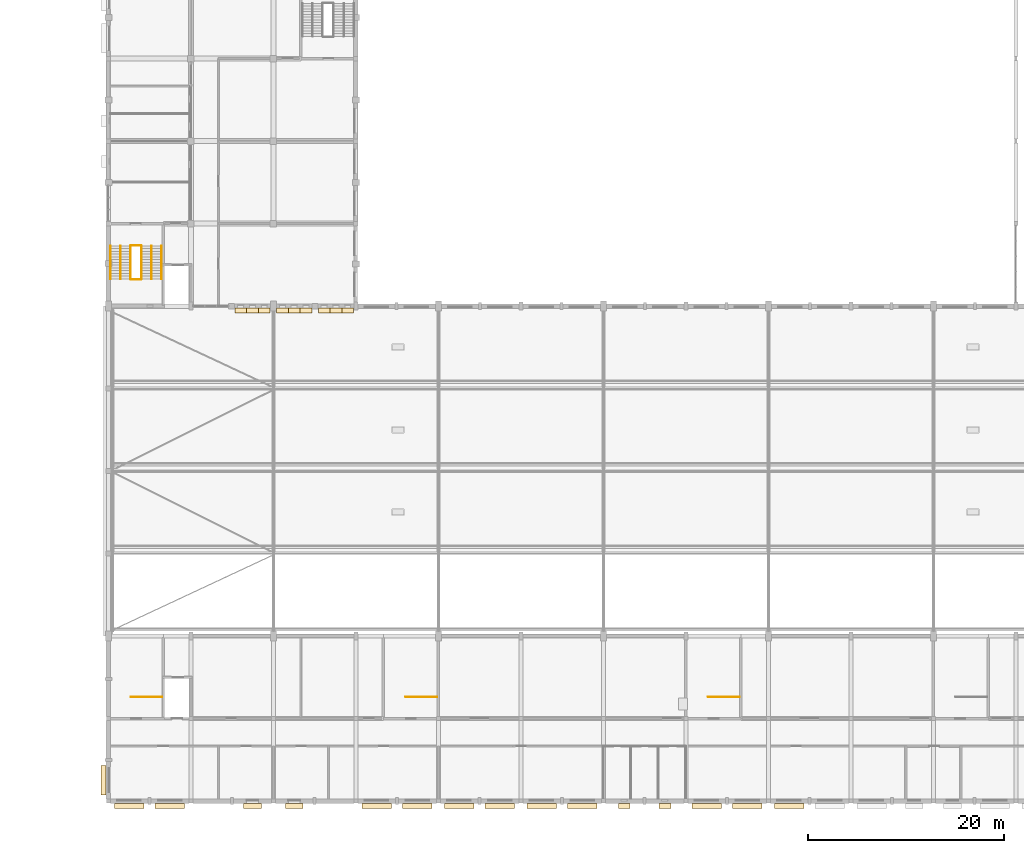
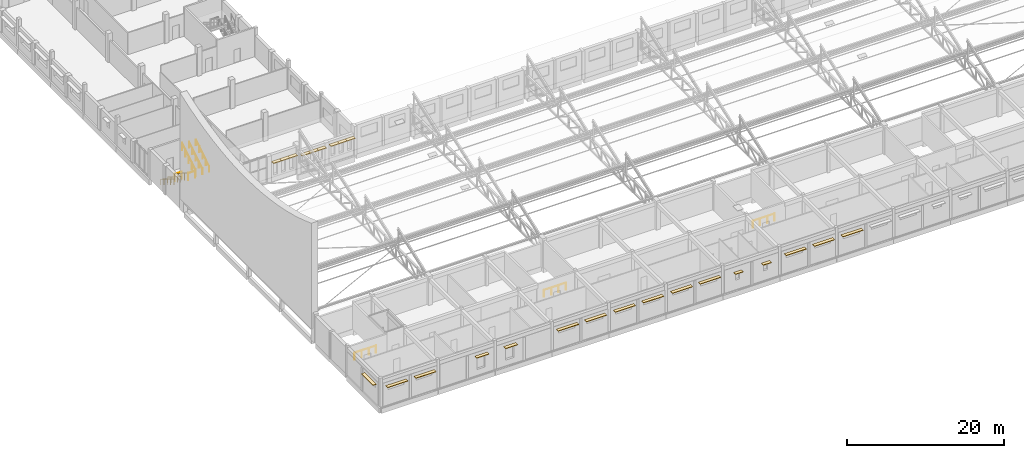
# One storey, part 93 of 101: 25 coverings, 11 railings.
"""IFC4 building model written with IfcOpenShell, lengths in metres."""

from ifc_helpers import new_model, si_unit, direction, frame, origin, origin_2d, place, context, subcontext, project, spatial, rectangle, circle, extrude, material, layer, layer_set, type_object, element, save


model = new_model("IFC4")

# Units and contexts
model_context = context("Model", 3, precision=1e-05, world=origin(), true_north=direction((0.0, 1.0)))
body_context = subcontext(model_context, "Body", "Model", "MODEL_VIEW")
ifc_project = project(units=[si_unit("LENGTHUNIT", "METRE"), si_unit("AREAUNIT", "SQUARE_METRE"), si_unit("VOLUMEUNIT", "CUBIC_METRE"), si_unit("PLANEANGLEUNIT", "RADIAN"), si_unit("MASSUNIT", "GRAM", prefix="KILO")], contexts=[model_context])

# Site, building, storey
site_placement = place(None, origin())
site = spatial("IfcSite", under=ifc_project, at=site_placement, CompositionType="ELEMENT")
building_placement = place(site_placement, origin())
building = spatial("IfcBuilding", under=site, at=building_placement, Name="Fescue Hill Polytechnic", CompositionType="ELEMENT")
storey_placement = place(building_placement, frame((0.0, 0.0, 9.0)))
storey = spatial("IfcBuildingStorey", under=building, at=storey_placement, Name="L02", CompositionType="ELEMENT", Elevation=9.0)

# Coverings
ifc_material_1 = material(Name="Precast concrete C40/50", Category="concrete")
ifc_layer = layer(ifc_material_1, 0.080078125)
ifc_layer_set = layer_set([ifc_layer], Name="Precast concrete C40/50")
covering_type = type_object("IfcCoveringType", Name="Shade blade precast 500x80", PredefinedType="CLADDING", material=ifc_layer_set)
for number, where, z_axis, x_axis, name in (
    (1, (-0.489990234375, 2.125, 3.050048828125), (0.0, 0.0, 1.0), (0.0, -1.0, 0.0), "SB-L02-V1-1"),
    (2, (2.125, -0.489990234375, 3.050048828125), (0.0, 0.0, 1.0), (1.0, 0.0, 0.0), "SB-L02-V1-2"),
    (3, (6.27490234375, -0.489990234375, 3.050048828125), (0.0, 0.0, 1.0), (1.0, 0.0, 0.0), "SB-L02-V1-3"),
):
    element("IfcCovering", number, at=place(storey_placement, frame(where, z_axis=z_axis, x_axis=x_axis)), inside=storey, type_object=covering_type, Name=name, PredefinedType="CLADDING", context=body_context, shape_type="SweptSolid", body=[
        extrude(rectangle(XDim=3.0, YDim=0.5, at=origin_2d()), origin(), (0.0, 0.0, 1.0), 0.080078125),
    ])
for number, where, z_axis, x_axis, name in (
    (4, (14.675048828125, -0.489990234375, 3.050048828125), (0.0, 0.0, 1.0), (1.0, 0.0, 0.0), "SB-L02-V1-4"),
    (5, (18.925048828125, -0.489990234375, 3.050048828125), (0.0, 0.0, 1.0), (1.0, 0.0, 0.0), "SB-L02-V1-5"),
):
    element("IfcCovering", number, at=place(storey_placement, frame(where, z_axis=z_axis, x_axis=x_axis)), inside=storey, type_object=covering_type, Name=name, PredefinedType="CLADDING", context=body_context, shape_type="SweptSolid", body=[
        extrude(rectangle(XDim=1.800048828125, YDim=0.5, at=origin_2d()), origin(), (0.0, 0.0, 1.0), 0.080078125),
    ])
for number, where, z_axis, x_axis, name in (
    (6, (27.324951171875, -0.489990234375, 3.050048828125), (0.0, 0.0, 1.0), (1.0, 0.0, 0.0), "SB-L02-V1-6"),
    (7, (31.47509765625, -0.489990234375, 3.050048828125), (0.0, 0.0, 1.0), (1.0, 0.0, 0.0), "SB-L02-V1-7"),
    (8, (35.72509765625, -0.489990234375, 3.050048828125), (0.0, 0.0, 1.0), (1.0, 0.0, 0.0), "SB-L02-V1-8"),
    (9, (39.875, -0.489990234375, 3.050048828125), (0.0, 0.0, 1.0), (1.0, 0.0, 0.0), "SB-L02-V1-9"),
    (10, (44.125, -0.489990234375, 3.050048828125), (0.0, 0.0, 1.0), (1.0, 0.0, 0.0), "SB-L02-V1-10"),
    (11, (48.27490234375, -0.489990234375, 3.050048828125), (0.0, 0.0, 1.0), (1.0, 0.0, 0.0), "SB-L02-V1-11"),
):
    element("IfcCovering", number, at=place(storey_placement, frame(where, z_axis=z_axis, x_axis=x_axis)), inside=storey, type_object=covering_type, Name=name, PredefinedType="CLADDING", context=body_context, shape_type="SweptSolid", body=[
        extrude(rectangle(XDim=3.0, YDim=0.5, at=origin_2d()), origin(), (0.0, 0.0, 1.0), 0.080078125),
    ])
for number, where, z_axis, x_axis, name in (
    (12, (52.52490234375, -0.489990234375, 2.75), (0.0, 0.0, 1.0), (1.0, 0.0, 0.0), "SB-L02-V1-12"),
    (13, (56.675048828125, -0.489990234375, 2.75), (0.0, 0.0, 1.0), (1.0, 0.0, 0.0), "SB-L02-V1-13"),
):
    element("IfcCovering", number, at=place(storey_placement, frame(where, z_axis=z_axis, x_axis=x_axis)), inside=storey, type_object=covering_type, Name=name, PredefinedType="CLADDING", context=body_context, shape_type="SweptSolid", body=[
        extrude(rectangle(XDim=1.199951171875, YDim=0.5, at=origin_2d()), origin(), (0.0, 0.0, 1.0), 0.080078125),
    ])
for number, where, z_axis, x_axis, name in (
    (14, (60.925048828125, -0.489990234375, 3.050048828125), (0.0, 0.0, 1.0), (1.0, 0.0, 0.0), "SB-L02-V1-14"),
    (15, (65.074951171875, -0.489990234375, 3.050048828125), (0.0, 0.0, 1.0), (1.0, 0.0, 0.0), "SB-L02-V1-15"),
    (16, (69.324951171875, -0.489990234375, 3.050048828125), (0.0, 0.0, 1.0), (1.0, 0.0, 0.0), "SB-L02-V1-16"),
):
    element("IfcCovering", number, at=place(storey_placement, frame(where, z_axis=z_axis, x_axis=x_axis)), inside=storey, type_object=covering_type, Name=name, PredefinedType="CLADDING", context=body_context, shape_type="SweptSolid", body=[
        extrude(rectangle(XDim=3.0, YDim=0.5, at=origin_2d()), origin(), (0.0, 0.0, 1.0), 0.080078125),
    ])
for number, where, z_axis, x_axis, name in (
    (17, (13.47509765625, 49.93994140625, 3.14990234375), (0.0, 0.0, 1.0), (1.0, 0.0, 0.0), "SB-L02-V4-8"),
    (18, (14.675048828125, 49.93994140625, 3.14990234375), (0.0, 0.0, 1.0), (1.0, 0.0, 0.0), "SB-L02-V4-9"),
    (19, (15.875, 49.93994140625, 3.14990234375), (0.0, 0.0, 1.0), (1.0, 0.0, 0.0), "SB-L02-V4-10"),
    (20, (17.72509765625, 49.93994140625, 2.849853515625), (0.0, 0.0, 1.0), (1.0, 0.0, 0.0), "SB-L02-V4-11"),
    (21, (18.925048828125, 49.93994140625, 2.849853515625), (0.0, 0.0, 1.0), (1.0, 0.0, 0.0), "SB-L02-V4-12"),
    (22, (20.125, 49.93994140625, 2.849853515625), (0.0, 0.0, 1.0), (1.0, 0.0, 0.0), "SB-L02-V4-13"),
    (23, (21.97509765625, 49.93994140625, 2.849853515625), (0.0, 0.0, 1.0), (1.0, 0.0, 0.0), "SB-L02-V4-14"),
    (24, (23.175048828125, 49.93994140625, 2.849853515625), (0.0, 0.0, 1.0), (1.0, 0.0, 0.0), "SB-L02-V4-15"),
    (25, (24.375, 49.93994140625, 2.849853515625), (0.0, 0.0, 1.0), (1.0, 0.0, 0.0), "SB-L02-V4-16"),
):
    element("IfcCovering", number, at=place(storey_placement, frame(where, z_axis=z_axis, x_axis=x_axis)), inside=storey, type_object=covering_type, Name=name, PredefinedType="CLADDING", context=body_context, shape_type="SweptSolid", body=[
        extrude(rectangle(XDim=1.199951171875, YDim=0.5, at=origin_2d()), origin(), (0.0, 0.0, 1.0), 0.080078125),
    ])

# Railings
ifc_material_2 = material(Name="Steel 350W (350 MPa)", Category="steel")
railing_type_1 = type_object("IfcRailingType", Name="Stair guard steel 1100", PredefinedType="GUARDRAIL", material=ifc_material_2)
railing_1_placement = place(storey_placement, frame((5.47509765625, 10.625, 0.0)))
element("IfcRailing", 26, at=railing_1_placement, inside=storey, type_object=railing_type_1, Name="L02 ST-V1-1 well guard 1", PredefinedType="GUARDRAIL", context=body_context, shape_type="SweptSolid", body=[
    extrude(circle(Radius=0.02392578125, at=origin_2d()), frame((0.0, 0.0, 1.076171875), z_axis=(-1.0, 0.0, 0.0), x_axis=(0.0, -1.0, 0.0)), (0.0, 0.0, 1.0), 3.175048828125),
    extrude(circle(Radius=0.02099609375, at=origin_2d()), origin(), (0.0, 0.0, 1.0), 1.052001953125),
    extrude(circle(Radius=0.02099609375, at=origin_2d()), frame((-1.058349609375, 0.0, 0.0)), (0.0, 0.0, 1.0), 1.052001953125),
    extrude(circle(Radius=0.02099609375, at=origin_2d()), frame((-2.11669921875, 0.0, 0.0)), (0.0, 0.0, 1.0), 1.052001953125),
    extrude(circle(Radius=0.02099609375, at=origin_2d()), frame((-3.175048828125, 0.0, 0.0)), (0.0, 0.0, 1.0), 1.052001953125),
])
railing_2_placement = place(storey_placement, frame((33.47509765625, 10.625, 0.0)))
element("IfcRailing", 27, at=railing_2_placement, inside=storey, type_object=railing_type_1, Name="L02 ST-V1-2 well guard 1", PredefinedType="GUARDRAIL", context=body_context, shape_type="SweptSolid", body=[
    extrude(circle(Radius=0.02392578125, at=origin_2d()), frame((0.0, 0.0, 1.076171875), z_axis=(-1.0, 0.0, 0.0), x_axis=(0.0, -1.0, 0.0)), (0.0, 0.0, 1.0), 3.2001953125),
    extrude(circle(Radius=0.02099609375, at=origin_2d()), origin(), (0.0, 0.0, 1.0), 1.052001953125),
    extrude(circle(Radius=0.02099609375, at=origin_2d()), frame((-1.066650390625, 0.0, 0.0)), (0.0, 0.0, 1.0), 1.052001953125),
    extrude(circle(Radius=0.02099609375, at=origin_2d()), frame((-2.133544921875, 0.0, 0.0)), (0.0, 0.0, 1.0), 1.052001953125),
    extrude(circle(Radius=0.02099609375, at=origin_2d()), frame((-3.2001953125, 0.0, 0.0)), (0.0, 0.0, 1.0), 1.052001953125),
])
railing_3_placement = place(storey_placement, frame((64.27490234375, 10.625, 0.0)))
element("IfcRailing", 28, at=railing_3_placement, inside=storey, type_object=railing_type_1, Name="L02 ST-V1-3 well guard 1", PredefinedType="GUARDRAIL", context=body_context, shape_type="SweptSolid", body=[
    extrude(circle(Radius=0.02392578125, at=origin_2d()), frame((0.0, 0.0, 1.076171875), z_axis=(-1.0, 0.0, 0.0), x_axis=(0.0, -1.0, 0.0)), (0.0, 0.0, 1.0), 3.199951171875),
    extrude(circle(Radius=0.02099609375, at=origin_2d()), origin(), (0.0, 0.0, 1.0), 1.052001953125),
    extrude(circle(Radius=0.02099609375, at=origin_2d()), frame((-1.066650390625, 0.0, 0.0)), (0.0, 0.0, 1.0), 1.052001953125),
    extrude(circle(Radius=0.02099609375, at=origin_2d()), frame((-2.13330078125, 0.0, 0.0)), (0.0, 0.0, 1.0), 1.052001953125),
    extrude(circle(Radius=0.02099609375, at=origin_2d()), frame((-3.199951171875, 0.0, 0.0)), (0.0, 0.0, 1.0), 1.052001953125),
])
railing_4_placement = place(storey_placement, frame((2.25, 56.52490234375, 0.173095703125)))
element("IfcRailing", 29, at=railing_4_placement, inside=storey, type_object=railing_type_1, Name="L02 ST-V4-1 stair guard 1", PredefinedType="GUARDRAIL", context=body_context, shape_type="SweptSolid", body=[
    extrude(circle(Radius=0.02392578125, at=origin_2d()), frame((0.0, 0.0, 1.076171875), z_axis=(0.0, -0.850606129759, 0.525803396734), x_axis=(1.0, 0.0, 0.0)), (0.0, 0.0, 1.0), 3.949951171875),
    extrude(circle(Radius=0.02099609375, at=origin_2d()), origin(), (0.0, 0.0, 1.0), 1.052001953125),
    extrude(circle(Radius=0.02099609375, at=origin_2d()), frame((0.0, -0.83984375, 0.519287109375)), (0.0, 0.0, 1.0), 1.052001953125),
    extrude(circle(Radius=0.02099609375, at=origin_2d()), frame((0.0, -1.679931640625, 1.03857421875)), (0.0, 0.0, 1.0), 1.052001953125),
    extrude(circle(Radius=0.02099609375, at=origin_2d()), frame((0.0, -2.52001953125, 1.5576171875)), (0.0, 0.0, 1.0), 1.052001953125),
    extrude(circle(Radius=0.02099609375, at=origin_2d()), frame((0.0, -3.35986328125, 2.076904296875)), (0.0, 0.0, 1.0), 1.052001953125),
])
railing_5_placement = place(storey_placement, frame((2.300048828125, 53.114990234375, 2.25)))
element("IfcRailing", 30, at=railing_5_placement, inside=storey, type_object=railing_type_1, Name="L02 ST-V4-1 stair guard 2", PredefinedType="GUARDRAIL", context=body_context, shape_type="SweptSolid", body=[
    extrude(circle(Radius=0.02392578125, at=origin_2d()), frame((0.0, 0.0, 1.076171875), z_axis=(1.0, 0.0, 0.0), x_axis=(0.0, 1.0, 0.0)), (0.0, 0.0, 1.0), 1.02490234375),
    extrude(circle(Radius=0.02099609375, at=origin_2d()), origin(), (0.0, 0.0, 1.0), 1.052001953125),
    extrude(circle(Radius=0.02099609375, at=origin_2d()), frame((1.02490234375, 0.0, 0.0)), (0.0, 0.0, 1.0), 1.052001953125),
])
railing_6_placement = place(storey_placement, frame((3.375, 53.1650390625, 2.423095703125)))
element("IfcRailing", 31, at=railing_6_placement, inside=storey, type_object=railing_type_1, Name="L02 ST-V4-1 stair guard 3", PredefinedType="GUARDRAIL", context=body_context, shape_type="SweptSolid", body=[
    extrude(circle(Radius=0.02392578125, at=origin_2d()), frame((0.0, 0.0, 1.076171875), z_axis=(0.0, 0.850606129759, 0.525803396734), x_axis=(-1.0, 0.0, 0.0)), (0.0, 0.0, 1.0), 3.949951171875),
    extrude(circle(Radius=0.02099609375, at=origin_2d()), origin(), (0.0, 0.0, 1.0), 1.052001953125),
    extrude(circle(Radius=0.02099609375, at=origin_2d()), frame((0.0, 0.83984375, 0.519287109375)), (0.0, 0.0, 1.0), 1.052001953125),
    extrude(circle(Radius=0.02099609375, at=origin_2d()), frame((0.0, 1.679931640625, 1.03857421875)), (0.0, 0.0, 1.0), 1.052001953125),
    extrude(circle(Radius=0.02099609375, at=origin_2d()), frame((0.0, 2.52001953125, 1.5576171875)), (0.0, 0.0, 1.0), 1.052001953125),
    extrude(circle(Radius=0.02099609375, at=origin_2d()), frame((0.0, 3.35986328125, 2.076904296875)), (0.0, 0.0, 1.0), 1.052001953125),
])
railing_7_placement = place(storey_placement, frame((2.300048828125, 56.574951171875, 0.0)))
element("IfcRailing", 32, at=railing_7_placement, inside=storey, type_object=railing_type_1, Name="L02 ST-V4-1 stair guard 4", PredefinedType="GUARDRAIL", context=body_context, shape_type="SweptSolid", body=[
    extrude(circle(Radius=0.02392578125, at=origin_2d()), frame((0.0, 0.0, 1.076171875), z_axis=(1.0, 0.0, 0.0), x_axis=(0.0, 1.0, 0.0)), (0.0, 0.0, 1.0), 1.02490234375),
    extrude(circle(Radius=0.02099609375, at=origin_2d()), origin(), (0.0, 0.0, 1.0), 1.052001953125),
    extrude(circle(Radius=0.02099609375, at=origin_2d()), frame((1.02490234375, 0.0, 0.0)), (0.0, 0.0, 1.0), 1.052001953125),
])
railing_type_2 = type_object("IfcRailingType", Name="Stair handrail steel 900", PredefinedType="HANDRAIL", material=ifc_material_2)
railing_8_placement = place(storey_placement, frame((0.199951171875, 56.52490234375, 0.173095703125)))
element("IfcRailing", 33, at=railing_8_placement, inside=storey, type_object=railing_type_2, Name="L02 ST-V4-1 stair handrail 1", PredefinedType="HANDRAIL", context=body_context, shape_type="SweptSolid", body=[
    extrude(circle(Radius=0.02392578125, at=origin_2d()), frame((0.0, 0.0, 0.8759765625), z_axis=(0.0, -0.850606129759, 0.525803396734), x_axis=(1.0, 0.0, 0.0)), (0.0, 0.0, 1.0), 3.949951171875),
    extrude(circle(Radius=0.02099609375, at=origin_2d()), origin(), (0.0, 0.0, 1.0), 0.851806640625),
    extrude(circle(Radius=0.02099609375, at=origin_2d()), frame((0.0, -0.83984375, 0.519287109375)), (0.0, 0.0, 1.0), 0.851806640625),
    extrude(circle(Radius=0.02099609375, at=origin_2d()), frame((0.0, -1.679931640625, 1.03857421875)), (0.0, 0.0, 1.0), 0.851806640625),
    extrude(circle(Radius=0.02099609375, at=origin_2d()), frame((0.0, -2.52001953125, 1.5576171875)), (0.0, 0.0, 1.0), 0.851806640625),
    extrude(circle(Radius=0.02099609375, at=origin_2d()), frame((0.0, -3.35986328125, 2.076904296875)), (0.0, 0.0, 1.0), 0.851806640625),
])
railing_9_placement = place(storey_placement, frame((5.425048828125, 53.1650390625, 2.423095703125)))
element("IfcRailing", 34, at=railing_9_placement, inside=storey, type_object=railing_type_2, Name="L02 ST-V4-1 stair handrail 2", PredefinedType="HANDRAIL", context=body_context, shape_type="SweptSolid", body=[
    extrude(circle(Radius=0.02392578125, at=origin_2d()), frame((0.0, 0.0, 0.8759765625), z_axis=(0.0, 0.850606129759, 0.525803396734), x_axis=(-1.0, 0.0, 0.0)), (0.0, 0.0, 1.0), 3.949951171875),
    extrude(circle(Radius=0.02099609375, at=origin_2d()), origin(), (0.0, 0.0, 1.0), 0.851806640625),
    extrude(circle(Radius=0.02099609375, at=origin_2d()), frame((0.0, 0.83984375, 0.519287109375)), (0.0, 0.0, 1.0), 0.851806640625),
    extrude(circle(Radius=0.02099609375, at=origin_2d()), frame((0.0, 1.679931640625, 1.03857421875)), (0.0, 0.0, 1.0), 0.851806640625),
    extrude(circle(Radius=0.02099609375, at=origin_2d()), frame((0.0, 2.52001953125, 1.5576171875)), (0.0, 0.0, 1.0), 0.851806640625),
    extrude(circle(Radius=0.02099609375, at=origin_2d()), frame((0.0, 3.35986328125, 2.076904296875)), (0.0, 0.0, 1.0), 0.851806640625),
])
railing_10_placement = place(storey_placement, frame((1.22509765625, 56.52490234375, 0.173095703125)))
element("IfcRailing", 35, at=railing_10_placement, inside=storey, type_object=railing_type_2, Name="L02 ST-V4-1 stair handrail 3", PredefinedType="HANDRAIL", context=body_context, shape_type="SweptSolid", body=[
    extrude(circle(Radius=0.02392578125, at=origin_2d()), frame((0.0, 0.0, 0.8759765625), z_axis=(0.0, -0.850606129759, 0.525803396734), x_axis=(1.0, 0.0, 0.0)), (0.0, 0.0, 1.0), 3.949951171875),
    extrude(circle(Radius=0.02099609375, at=origin_2d()), origin(), (0.0, 0.0, 1.0), 0.851806640625),
    extrude(circle(Radius=0.02099609375, at=origin_2d()), frame((0.0, -0.83984375, 0.519287109375)), (0.0, 0.0, 1.0), 0.851806640625),
    extrude(circle(Radius=0.02099609375, at=origin_2d()), frame((0.0, -1.679931640625, 1.03857421875)), (0.0, 0.0, 1.0), 0.851806640625),
    extrude(circle(Radius=0.02099609375, at=origin_2d()), frame((0.0, -2.52001953125, 1.5576171875)), (0.0, 0.0, 1.0), 0.851806640625),
    extrude(circle(Radius=0.02099609375, at=origin_2d()), frame((0.0, -3.35986328125, 2.076904296875)), (0.0, 0.0, 1.0), 0.851806640625),
])
railing_11_placement = place(storey_placement, frame((4.39990234375, 53.1650390625, 2.423095703125)))
element("IfcRailing", 36, at=railing_11_placement, inside=storey, type_object=railing_type_2, Name="L02 ST-V4-1 stair handrail 4", PredefinedType="HANDRAIL", context=body_context, shape_type="SweptSolid", body=[
    extrude(circle(Radius=0.02392578125, at=origin_2d()), frame((0.0, 0.0, 0.8759765625), z_axis=(0.0, 0.850606129759, 0.525803396734), x_axis=(-1.0, 0.0, 0.0)), (0.0, 0.0, 1.0), 3.949951171875),
    extrude(circle(Radius=0.02099609375, at=origin_2d()), origin(), (0.0, 0.0, 1.0), 0.851806640625),
    extrude(circle(Radius=0.02099609375, at=origin_2d()), frame((0.0, 0.83984375, 0.519287109375)), (0.0, 0.0, 1.0), 0.851806640625),
    extrude(circle(Radius=0.02099609375, at=origin_2d()), frame((0.0, 1.679931640625, 1.03857421875)), (0.0, 0.0, 1.0), 0.851806640625),
    extrude(circle(Radius=0.02099609375, at=origin_2d()), frame((0.0, 2.52001953125, 1.5576171875)), (0.0, 0.0, 1.0), 0.851806640625),
    extrude(circle(Radius=0.02099609375, at=origin_2d()), frame((0.0, 3.35986328125, 2.076904296875)), (0.0, 0.0, 1.0), 0.851806640625),
])

save(model, "model.ifc")
